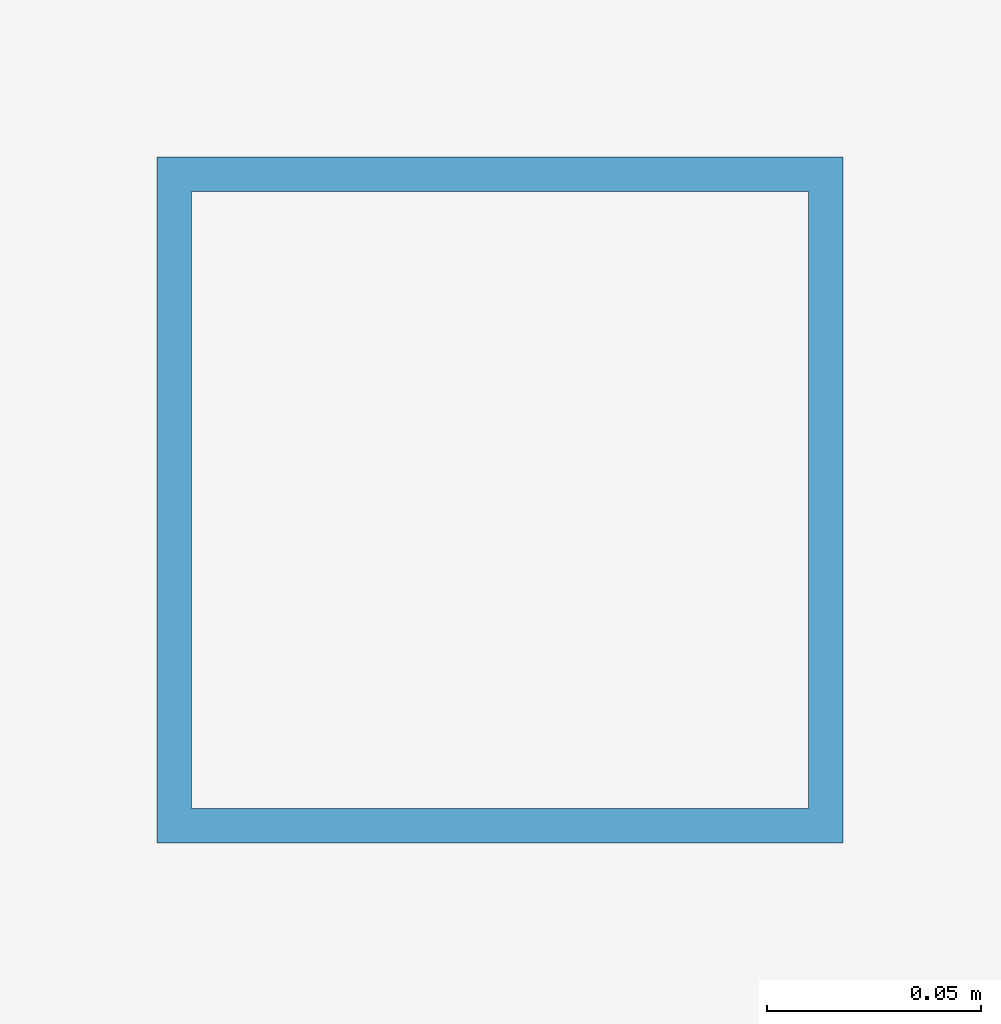
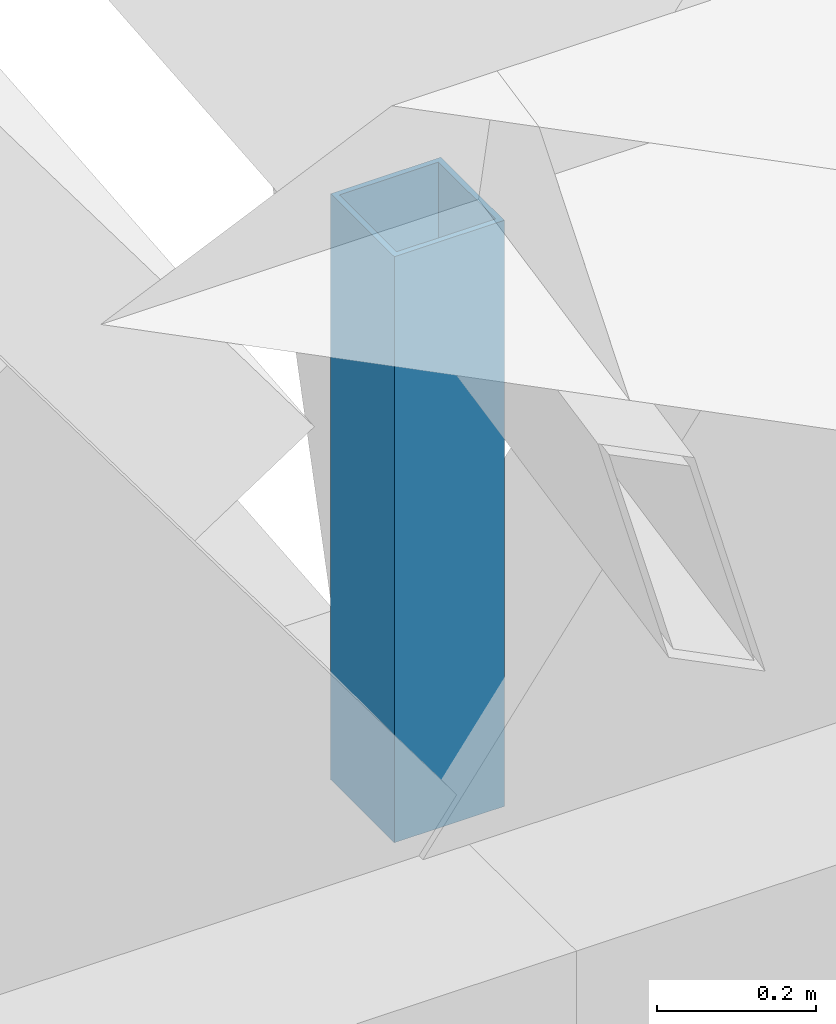
# One storey, part 16 of 93: 1 column.
"""IFC4 building model written with IfcOpenShell, lengths in metres."""

import ifcopenshell
import ifcopenshell.guid

model = None  # the IFC model being written
_history = None  # IfcOwnerHistory: only IFC2X3 demands one
_inside = {}  # id of a spatial element -> (the spatial element, [elements in it])
_under = {}  # id of a project, library or spatial element -> (it, [spatial elements below it])
_declared = {}  # id of a project -> (the project, [libraries it declares])
_typed = {}  # id of a type object -> (the type object, [elements of that type])
_made_of = {}  # id of a material, layer set ... -> (it, [elements and type objects made of it])


def new_model(schema):
    """Start an empty IFC model of exactly this schema.

    Asked for "IFC4X3", IfcOpenShell would pick the latest addendum, in which some entities
    have other attributes; the version numbers below select the first issue.
    IFC2X3 requires an IfcOwnerHistory on every rooted entity: one is made here for all.
    """
    global model, _history
    if schema == "IFC4X3":
        model = ifcopenshell.file(schema_version=(4, 3, 0, 0))
    else:
        model = ifcopenshell.file(schema=schema)
    _inside.clear()
    _under.clear()
    _declared.clear()
    _typed.clear()
    _made_of.clear()
    _history = None
    if model.schema == "IFC2X3":
        org = make("IfcOrganization", Name="unknown")
        user = make(
            "IfcPersonAndOrganization",
            ThePerson=make("IfcPerson", FamilyName="unknown"),
            TheOrganization=org,
        )
        app = make(
            "IfcApplication",
            ApplicationDeveloper=org,
            Version="unknown",
            ApplicationFullName="unknown",
            ApplicationIdentifier="unknown",
        )
        _history = make(
            "IfcOwnerHistory",
            OwningUser=user,
            OwningApplication=app,
            ChangeAction="ADDED",
            CreationDate=0,
        )
    return model


def make(cls, **values):
    """One entity of the class cls with the attributes given. An attribute that is None is left unset."""
    return model.create_entity(
        cls, **{name: value for name, value in values.items() if value is not None}
    )


def rooted(cls, **values):
    """An entity with a GlobalId (a new one), such as an element, a storey or a relation."""
    return make(cls, GlobalId=ifcopenshell.guid.new(), OwnerHistory=_history, **values)


def si_unit(unit_type, name, prefix=None):
    """IfcSIUnit, for example si_unit("LENGTHUNIT", "METRE", prefix="MILLI")."""
    return make("IfcSIUnit", UnitType=unit_type, Prefix=prefix, Name=name)


def assignment(units):
    """IfcUnitAssignment: the units of a project."""
    return None if units is None else make("IfcUnitAssignment", Units=units)


def point(xyz):
    """IfcCartesianPoint."""
    return None if xyz is None else make("IfcCartesianPoint", Coordinates=xyz)


def direction(xyz):
    """IfcDirection."""
    return None if xyz is None else make("IfcDirection", DirectionRatios=xyz)


def frame(location, z_axis=None, x_axis=None):
    """IfcAxis2Placement3D, a coordinate frame: its origin and axes. An axis left out is left unset."""
    return make(
        "IfcAxis2Placement3D",
        Location=point(location),
        Axis=direction(z_axis),
        RefDirection=direction(x_axis),
    )


def frame_2d(location, x_axis=None):
    """IfcAxis2Placement2D, a coordinate frame in the plane: its origin and x axis."""
    return make(
        "IfcAxis2Placement2D", Location=point(location), RefDirection=direction(x_axis)
    )


def origin():
    """The frame at (0, 0, 0) with its axes left unset."""
    return frame((0.0, 0.0, 0.0))


def origin_2d():
    """The frame at (0, 0) in the plane with its x axis left unset."""
    return frame_2d((0.0, 0.0))


def place(relative_to, where):
    """IfcLocalPlacement: puts the frame where relative to a parent placement (None: the world)."""
    return make(
        "IfcLocalPlacement", PlacementRelTo=relative_to, RelativePlacement=where
    )


def context(
    kind, dimensions, precision=None, world=None, true_north=None, identifier=None
):
    """IfcGeometricRepresentationContext, for example the 3D "Model" context."""
    return make(
        "IfcGeometricRepresentationContext",
        ContextIdentifier=identifier,
        ContextType=kind,
        CoordinateSpaceDimension=dimensions,
        Precision=precision,
        WorldCoordinateSystem=world,
        TrueNorth=true_north,
    )


def subcontext(parent, identifier, kind, view, scale=None):
    """IfcGeometricRepresentationSubContext, for example "Body" below "Model"."""
    return make(
        "IfcGeometricRepresentationSubContext",
        ContextIdentifier=identifier,
        ContextType=kind,
        ParentContext=parent,
        TargetScale=scale,
        TargetView=view,
    )


def project(units=None, contexts=None):
    """IfcProject with its units and contexts."""
    return rooted(
        "IfcProject",
        Name="project",
        RepresentationContexts=contexts,
        UnitsInContext=assignment(units),
    )


def spatial(cls, under=None, at=None, **own):
    """A site, building, storey or space (cls), placed at a placement, below another one or the project."""
    s = rooted(cls, ObjectPlacement=at, **own)
    if under is not None:
        _under.setdefault(under.id(), (under, []))[1].append(s)
    return s


def profile(cls, at=None, kind="AREA", **sizes):
    """A parametric profile (cls). Its sizes go by their IFC names, for example OverallWidth=200.0."""
    return make(cls, ProfileType=kind, Position=at, **sizes)


def hollow_rectangle(**sizes):
    """IfcRectangleHollowProfileDef."""
    return profile("IfcRectangleHollowProfileDef", **sizes)


def extrude(swept, where, along, depth):
    """IfcExtrudedAreaSolid: the profile swept, set in the frame where, extruded along a direction by depth."""
    return make(
        "IfcExtrudedAreaSolid",
        SweptArea=swept,
        Position=where,
        ExtrudedDirection=direction(along),
        Depth=depth,
    )


def shape(context_of_items, identifier, shape_type, items):
    """IfcShapeRepresentation: the items that make up one representation, for example the "Body"."""
    return make(
        "IfcShapeRepresentation",
        ContextOfItems=context_of_items,
        RepresentationIdentifier=identifier,
        RepresentationType=shape_type,
        Items=items,
    )


def material(Name=None, Category=None):
    """IfcMaterial."""
    return make("IfcMaterial", Name=Name, Category=Category)


def material_profile(
    of_material, cross_section, Name=None, Category=None, Priority=None
):
    """IfcMaterialProfile: a cross section and its material."""
    return make(
        "IfcMaterialProfile",
        Name=Name,
        Material=of_material,
        Profile=cross_section,
        Priority=Priority,
        Category=Category,
    )


def profile_set(profiles, Name=None, composite=None):
    """IfcMaterialProfileSet."""
    return make(
        "IfcMaterialProfileSet",
        Name=Name,
        MaterialProfiles=profiles,
        CompositeProfile=composite,
    )


def made_of(thing, what):
    """Note that an element or type object is made of a material, layer set ...; save() writes the relation."""
    if what is not None:
        _made_of.setdefault(what.id(), (what, []))[1].append(thing)
    return thing


def type_object(cls, material=None, **own):
    """A type object (cls), such as IfcWallType, which elements share."""
    return made_of(rooted(cls, **own), material)


def element(
    cls,
    number,
    at=None,
    inside=None,
    cuts=None,
    type_object=None,
    material=None,
    context=None,
    identifier="Body",
    shape_type=None,
    held_by="IfcProductDefinitionShape",
    body=None,
    shapes=None,
    **own,
):
    """One element of the class cls, such as IfcWall. Its Tag is "e" and its number.

    at: its placement. inside: the storey or other place that contains it. cuts: it is an
    opening in that element (IfcRelVoidsElement). A single representation is given by context,
    identifier, shape_type and body (its items); several are given by shapes. held_by: the class
    of the entity that holds the representations. save() writes the other relations.
    """
    e = rooted(cls, Tag="e%d" % number, ObjectPlacement=at, **own)
    if body is not None:
        shapes = [shape(context, identifier, shape_type, body)]
    if shapes is not None:
        e.Representation = make(held_by, Representations=shapes)
    if inside is not None:
        _inside.setdefault(inside.id(), (inside, []))[1].append(e)
    if cuts is not None:
        rooted(
            "IfcRelVoidsElement", RelatingBuildingElement=cuts, RelatedOpeningElement=e
        )
    if type_object is not None:
        _typed.setdefault(type_object.id(), (type_object, []))[1].append(e)
    return made_of(e, material)


def aggregate(whole, parts):
    """IfcRelAggregates: a whole, such as a stair, and the parts it consists of."""
    return rooted("IfcRelAggregates", RelatingObject=whole, RelatedObjects=parts)


def save(model, path):
    """Write the relations noted so far, then the file.

    IfcRelAggregates (storeys below a building ...), IfcRelContainedInSpatialStructure (elements
    in a storey), IfcRelDefinesByType, IfcRelAssociatesMaterial and IfcRelDeclares: one each for
    every whole, place, type object, material and project.
    """
    for whole, parts in _under.values():
        aggregate(whole, parts)
    for where, things in _inside.values():
        rooted(
            "IfcRelContainedInSpatialStructure",
            RelatedElements=things,
            RelatingStructure=where,
        )
    for kind, things in _typed.values():
        rooted("IfcRelDefinesByType", RelatedObjects=things, RelatingType=kind)
    for what, things in _made_of.values():
        rooted("IfcRelAssociatesMaterial", RelatedObjects=things, RelatingMaterial=what)
    for by, libraries in _declared.values():
        rooted("IfcRelDeclares", RelatingContext=by, RelatedDefinitions=libraries)
    model.write(path)


model = new_model("IFC4")

# Units and contexts
model_context = context("Model", 3, precision=1e-05, world=origin(), true_north=direction((0.0, 1.0)))
body_context = subcontext(model_context, "Body", "Model", "MODEL_VIEW")
ifc_project = project(units=[si_unit("LENGTHUNIT", "METRE"), si_unit("AREAUNIT", "SQUARE_METRE"), si_unit("VOLUMEUNIT", "CUBIC_METRE"), si_unit("PLANEANGLEUNIT", "RADIAN"), si_unit("MASSUNIT", "GRAM", prefix="KILO")], contexts=[model_context])

# Site, building, storey
site_placement = place(None, origin())
site = spatial("IfcSite", under=ifc_project, at=site_placement, CompositionType="ELEMENT")
building_placement = place(site_placement, origin())
building = spatial("IfcBuilding", under=site, at=building_placement, Name="Vourika Railside Aquatics Centre", CompositionType="ELEMENT")
storey_placement = place(building_placement, frame((0.0, 0.0, 21.89990234375)))
storey = spatial("IfcBuildingStorey", under=building, at=storey_placement, Name="Roof", CompositionType="ELEMENT", Elevation=21.89990234375)

# Column
ifc_material = material(Name="Steel S355J2", Category="steel")
ifc_material_profile = material_profile(ifc_material, hollow_rectangle(XDim=0.159912109375, YDim=0.159912109375, WallThickness=0.008056640625, at=origin_2d()), Name="SHS 160x160x8")
ifc_profile_set = profile_set([ifc_material_profile], Name="Steel S355J2")
column_type = type_object("IfcColumnType", Name="COL-STL-SHS160", PredefinedType="COLUMN", material=ifc_profile_set)
column_placement = place(storey_placement, frame((126.0, 12.0, -11.14990234375), z_axis=(0.0, 0.0, 1.0), x_axis=(1.0, 0.0, 0.0)))
element("IfcColumn", 1, at=column_placement, inside=storey, type_object=column_type, Name="Changing Roof Ridge Post (126.0,12.0)", PredefinedType="COLUMN", context=body_context, shape_type="SweptSolid", body=[
    extrude(hollow_rectangle(XDim=0.159912109375, YDim=0.159912109375, WallThickness=0.008056640625, at=origin_2d()), origin(), (0.0, 0.0, 1.0), 0.89990234375),
])

save(model, "model.ifc")
